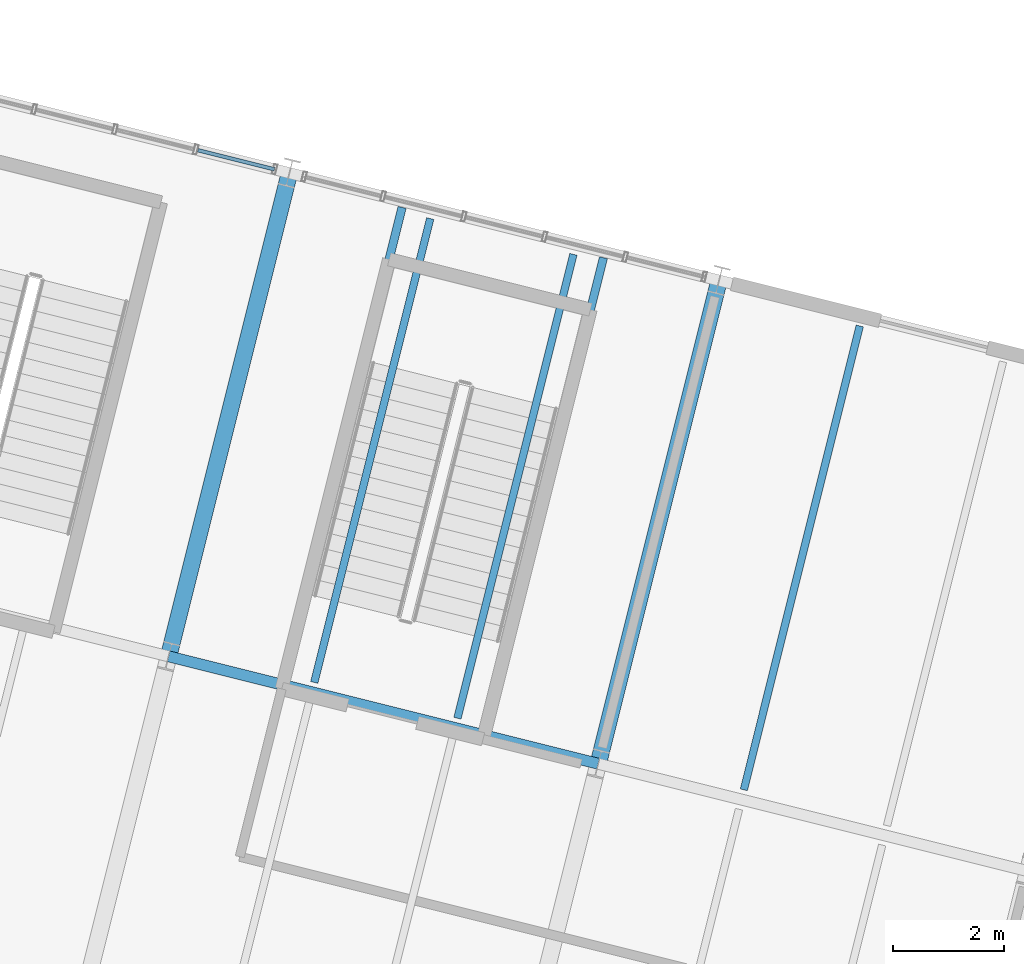
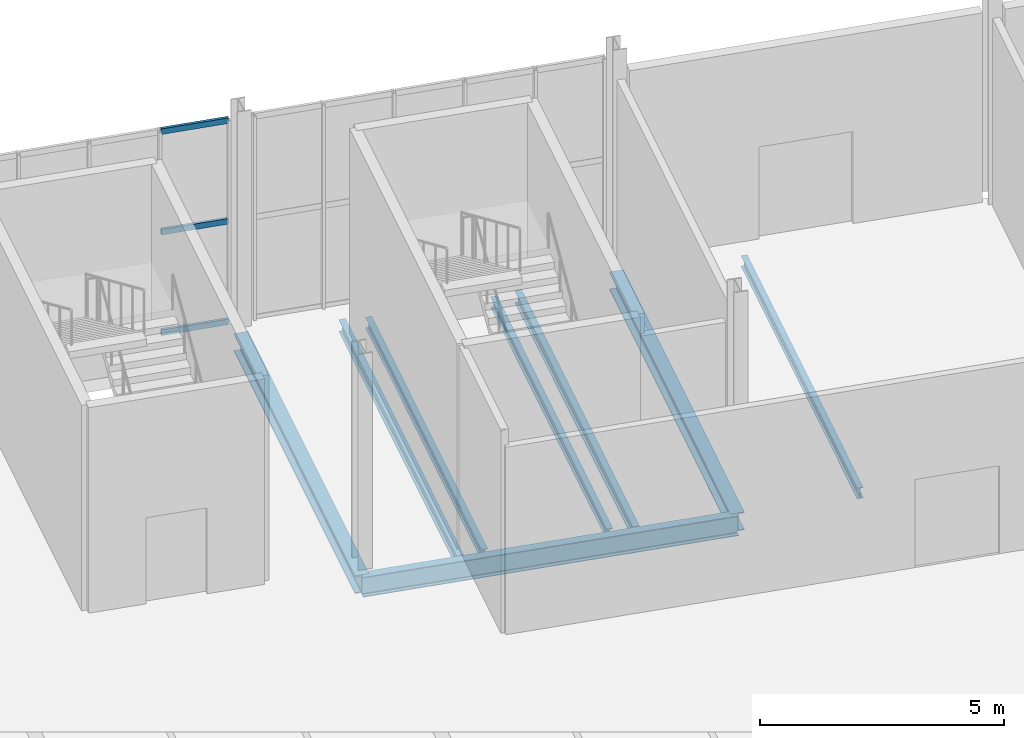
# One storey, part 101 of 158: 8 beams, 3 members, 1 element without a shape of its own.
"""IFC4 building model written with IfcOpenShell, lengths in metres."""

from ifc_helpers import new_model, si_unit, derived_unit, direction, frame, origin, origin_2d, place, context, subcontext, project, spatial, hollow_rectangle, i_section, extrude, material, material_profile, profile_set, type_object, element, aggregate, save


model = new_model("IFC4")

# Units and contexts
model_context = context("Model", 3, precision=1e-05, world=origin(), true_north=direction((0.0, 1.0)))
body_context = subcontext(model_context, "Body", "Model", "MODEL_VIEW")
ifc_project = project(units=[si_unit("LENGTHUNIT", "METRE"), si_unit("AREAUNIT", "SQUARE_METRE"), si_unit("VOLUMEUNIT", "CUBIC_METRE"), si_unit("PLANEANGLEUNIT", "RADIAN"), si_unit("MASSUNIT", "GRAM", prefix="KILO"), si_unit("THERMODYNAMICTEMPERATUREUNIT", "KELVIN"), si_unit("TIMEUNIT", "SECOND"), derived_unit("THERMALTRANSMITTANCEUNIT", [(si_unit("MASSUNIT", "GRAM", prefix="KILO"), 1), (si_unit("THERMODYNAMICTEMPERATUREUNIT", "KELVIN"), -1), (si_unit("TIMEUNIT", "SECOND"), -3)])], contexts=[model_context])

# Site, building, storey
site_placement = place(None, origin())
site = spatial("IfcSite", under=ifc_project, at=site_placement, CompositionType="ELEMENT")
building_placement = place(site_placement, origin())
building = spatial("IfcBuilding", under=site, at=building_placement, Name="Cambertide Market Hall", CompositionType="ELEMENT")
storey_placement = place(building_placement, origin())
storey = spatial("IfcBuildingStorey", under=building, at=storey_placement, Name="L01", CompositionType="ELEMENT", Elevation=0.0)

# Curtain wall, members
ifc_material_1 = material(Name="Marine Anodized Aluminium 6063-T6 AA25", Category="aluminium")
curtain_wall_type = type_object("IfcCurtainWallType", Name="Cooking School Ground Showcase Wall", PredefinedType="USERDEFINED", material=ifc_material_1)
curtain_wall_placement = place(storey_placement, origin())
curtain_wall = element("IfcCurtainWall", 1, at=curtain_wall_placement, inside=storey, type_object=curtain_wall_type, Name="Level 1 Curtain Wall CW-V4N-L01-4", ObjectType="UNITIZED CURTAIN WALL", PredefinedType="USERDEFINED")
ifc_material_2 = material(Name="Champagne Marine Anodized Aluminium 6063-T6 AA25", Category="aluminium")
ifc_material_profile_1 = material_profile(ifc_material_2, hollow_rectangle(XDim=0.06494140625, YDim=0.139892578125, WallThickness=0.00341796875, at=origin_2d()), Name="ALU TRANSOM 65x140")
ifc_profile_set_1 = profile_set([ifc_material_profile_1], Name="Champagne Marine Anodized Aluminium 6063-T6 AA25")
member_type = type_object("IfcMemberType", Name="Curtain Wall Transom ALU TRANSOM 65x140", PredefinedType="USERDEFINED", material=ifc_profile_set_1)
member_1_placement = place(storey_placement, frame((143.93994140625, 118.845947265625, 0.034912109375), z_axis=(0.970162669427, -0.242454933646, 0.0), x_axis=(0.242454933646, 0.970162669427, 0.0)))
member_1 = element("IfcMember", 2, at=member_1_placement, type_object=member_type, Name="CW-V4N-L01-4 Transom 1-5", ObjectType="TRANSOM", PredefinedType="USERDEFINED", context=body_context, shape_type="SweptSolid", body=[
    extrude(hollow_rectangle(XDim=0.06494140625, YDim=0.139892578125, WallThickness=0.00341796875, at=origin_2d()), origin(), (0.0, 0.0, 1.0), 1.423828125),
])
member_2_placement = place(storey_placement, frame((143.93994140625, 118.845947265625, 2.550048828125), z_axis=(0.970162669427, -0.242454933646, 0.0), x_axis=(0.242454933646, 0.970162669427, 0.0)))
member_2 = element("IfcMember", 3, at=member_2_placement, type_object=member_type, Name="CW-V4N-L01-4 Transom 2-5", ObjectType="TRANSOM", PredefinedType="USERDEFINED", context=body_context, shape_type="SweptSolid", body=[
    extrude(hollow_rectangle(XDim=0.06494140625, YDim=0.139892578125, WallThickness=0.00341796875, at=origin_2d()), origin(), (0.0, 0.0, 1.0), 1.423828125),
])
member_3_placement = place(storey_placement, frame((143.93994140625, 118.845947265625, 5.06494140625), z_axis=(0.970162669427, -0.242454933646, 0.0), x_axis=(0.242454933646, 0.970162669427, 0.0)))
member_3 = element("IfcMember", 4, at=member_3_placement, type_object=member_type, Name="CW-V4N-L01-4 Transom 3-5", ObjectType="TRANSOM", PredefinedType="USERDEFINED", context=body_context, shape_type="SweptSolid", body=[
    extrude(hollow_rectangle(XDim=0.06494140625, YDim=0.139892578125, WallThickness=0.00341796875, at=origin_2d()), origin(), (0.0, 0.0, 1.0), 1.423828125),
])
aggregate(curtain_wall, [member_1, member_2, member_3])

# Beams
ifc_material_3 = material(Name="Steel S355", Category="steel")
ifc_material_profile_2 = material_profile(ifc_material_3, i_section(OverallWidth=0.300048828125, OverallDepth=0.449951171875, WebThickness=0.013916015625, FlangeThickness=0.02587890625, FilletRadius=0.027099609375, at=origin_2d()), Name="HEB 450")
ifc_profile_set_2 = profile_set([ifc_material_profile_2], Name="Steel S355")
beam_type_1 = type_object("IfcBeamType", Name="Steel Girder HEB 450", PredefinedType="BEAM", material=ifc_profile_set_2)
for number, where, z_axis, x_axis, name in (
    (5, (143.41015625, 109.701416015625, -0.52490234375), (0.242542007841, 0.970140904422, 0.0), (-0.970140904422, 0.242542007841, 0.0), "Level 1 Beam BM-V4V-L01-5-3"),
    (6, (151.17138671875, 107.76123046875, -0.52490234375), (0.242542007841, 0.970140904422, 0.0), (-0.970140904422, 0.242542007841, 0.0), "Level 1 Beam BM-V4V-L01-6-3"),
):
    element("IfcBeam", number, at=place(storey_placement, frame(where, z_axis=z_axis, x_axis=x_axis)), inside=storey, type_object=beam_type_1, Name=name, PredefinedType="BEAM", context=body_context, shape_type="SweptSolid", body=[
        extrude(i_section(OverallWidth=0.300048828125, OverallDepth=0.449951171875, WebThickness=0.013916015625, FlangeThickness=0.02587890625, FilletRadius=0.027099609375, at=origin_2d()), origin(), (0.0, 0.0, 1.0), 9.0),
    ])
ifc_material_4 = material(Name="Steel S355", Category="steel")
ifc_material_profile_3 = material_profile(ifc_material_4, i_section(OverallWidth=0.199951171875, OverallDepth=0.5, WebThickness=0.01025390625, FlangeThickness=0.01611328125, FilletRadius=0.02099609375, at=origin_2d()), Name="IPE 500")
ifc_profile_set_3 = profile_set([ifc_material_profile_3], Name="Steel S355")
beam_type_2 = type_object("IfcBeamType", Name="Steel Girder IPE 500", PredefinedType="BEAM", material=ifc_profile_set_3)
beam_placement = place(storey_placement, frame((143.41015625, 109.701416015625, -0.550048828125), z_axis=(0.970146090314, -0.242521263911, 0.0), x_axis=(0.242521263911, 0.970146090314, 0.0)))
element("IfcBeam", 7, at=beam_placement, inside=storey, type_object=beam_type_2, Name="Level 1 Beam BM-V4U-L01-5-3", PredefinedType="BEAM", context=body_context, shape_type="SweptSolid", body=[
    extrude(i_section(OverallWidth=0.199951171875, OverallDepth=0.5, WebThickness=0.01025390625, FlangeThickness=0.01611328125, FilletRadius=0.02099609375, at=origin_2d()), origin(), (0.0, 0.0, 1.0), 8.0),
])
ifc_material_5 = material(Name="Steel S275", Category="steel")
ifc_material_profile_4 = material_profile(ifc_material_5, i_section(OverallWidth=0.135009765625, OverallDepth=0.27001953125, WebThickness=0.006591796875, FlangeThickness=0.01025390625, FilletRadius=0.014892578125, at=origin_2d()), Name="IPE 270")
ifc_profile_set_4 = profile_set([ifc_material_profile_4], Name="Steel S275")
beam_type_3 = type_object("IfcBeamType", Name="Steel Secondary Joist IPE 270", PredefinedType="JOIST", material=ifc_profile_set_4)
for number, where, z_axis, x_axis, name in (
    (8, (146.041015625, 109.229248046875, -0.43505859375), (0.242528976348, 0.970144162293, 0.0), (-0.970144162293, 0.242528976348, 0.0), "Level 1 Joist JS-V4-L01-5-3-1"),
    (9, (148.6279296875, 108.58251953125, -0.43505859375), (0.242528976348, 0.970144162293, 0.0), (-0.970144162293, 0.242528976348, 0.0), "Level 1 Joist JS-V4-L01-5-3-2"),
    (10, (153.802001953125, 107.2890625, -0.43505859375), (0.242528976348, 0.970144162293, 0.0), (-0.970144162293, 0.242528976348, 0.0), "Level 1 Joist JS-V4-L01-6-3-1"),
):
    element("IfcBeam", number, at=place(storey_placement, frame(where, z_axis=z_axis, x_axis=x_axis)), inside=storey, type_object=beam_type_3, Name=name, PredefinedType="JOIST", context=body_context, shape_type="SweptSolid", body=[
        extrude(i_section(OverallWidth=0.135009765625, OverallDepth=0.27001953125, WebThickness=0.006591796875, FlangeThickness=0.01025390625, FilletRadius=0.014892578125, at=origin_2d()), origin(), (0.0, 0.0, 1.0), 8.64013671875),
    ])
ifc_material_6 = material(Name="Steel S275", Category="steel")
ifc_material_profile_5 = material_profile(ifc_material_6, i_section(OverallWidth=0.14990234375, OverallDepth=0.300048828125, WebThickness=0.007080078125, FlangeThickness=0.0107421875, FilletRadius=0.014892578125, at=origin_2d()), Name="IPE 300")
ifc_profile_set_5 = profile_set([ifc_material_profile_5], Name="Steel S275")
beam_type_4 = type_object("IfcBeamType", Name="Steel Secondary Joist IPE 300", PredefinedType="JOIST", material=ifc_profile_set_5)
for number, where, z_axis, x_axis, name in (
    (11, (145.498046875, 109.290771484375, -0.449951171875), (0.242529085303, 0.970144135055, 0.0), (-0.970144135055, 0.242529085303, 0.0), "Level 1 Joist BM-ST09-SHWR"),
    (12, (149.135986328125, 108.38134765625, -0.449951171875), (0.242529085303, 0.970144135055, 0.0), (-0.970144135055, 0.242529085303, 0.0), "Level 1 Joist BM-ST09-SHWL"),
):
    element("IfcBeam", number, at=place(storey_placement, frame(where, z_axis=z_axis, x_axis=x_axis)), inside=storey, type_object=beam_type_4, Name=name, PredefinedType="JOIST", context=body_context, shape_type="SweptSolid", body=[
        extrude(i_section(OverallWidth=0.14990234375, OverallDepth=0.300048828125, WebThickness=0.007080078125, FlangeThickness=0.0107421875, FilletRadius=0.014892578125, at=origin_2d()), origin(), (0.0, 0.0, 1.0), 8.783935546875),
    ])

save(model, "model.ifc")
